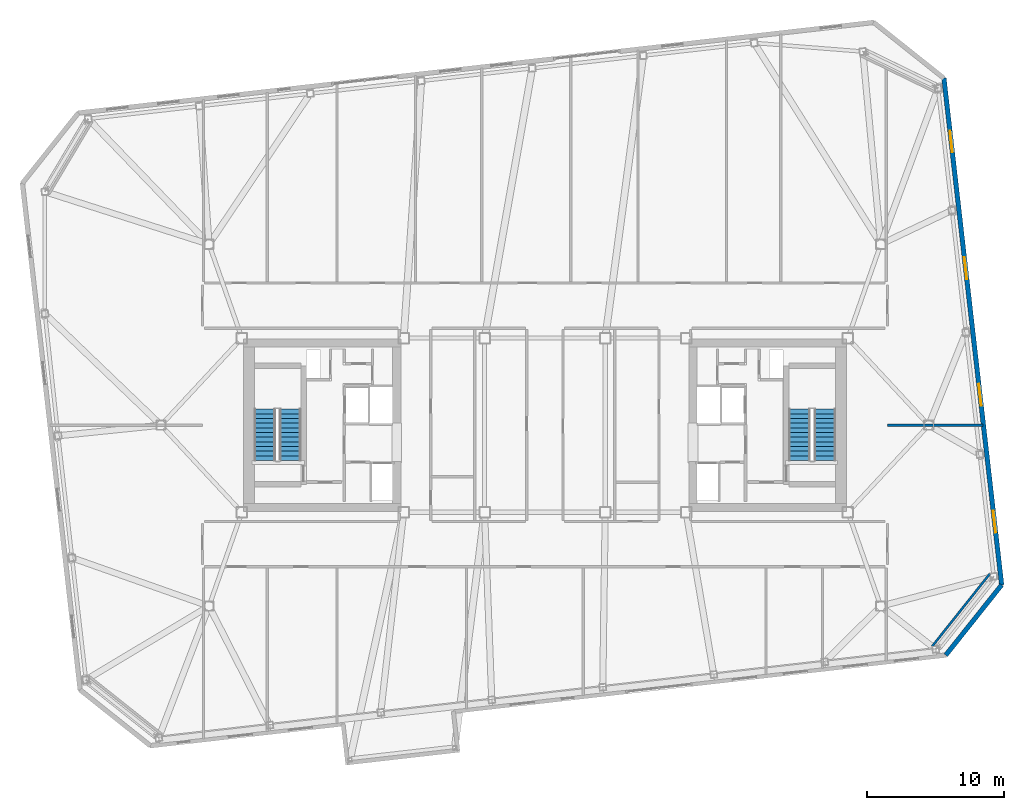
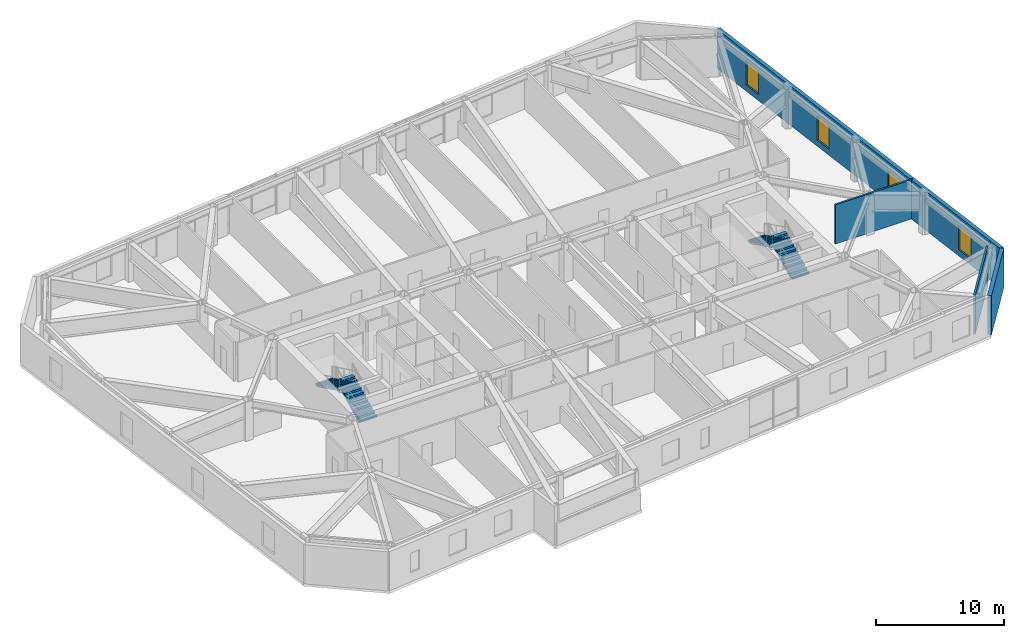
# One storey, part 15 of 18: 4 stair flights, 4 walls, 4 windows, 4 openings, 2 elements without a shape of their own.
"""IFC4 building model written with IfcOpenShell, lengths in metres."""

from ifc_helpers import new_model, si_unit, direction, frame, frame_2d, origin, place, context, subcontext, project, spatial, polyline, rectangle, outline, extrude, material, layer, layer_set, type_object, element, fill, aggregate, save


model = new_model("IFC4")

# Units and contexts
model_context = context("Model", 3, precision=1e-05, world=origin(), true_north=direction((0.0, 1.0)))
body_context = subcontext(model_context, "Body", "Model", "MODEL_VIEW")
ifc_project = project(units=[si_unit("LENGTHUNIT", "METRE"), si_unit("AREAUNIT", "SQUARE_METRE"), si_unit("VOLUMEUNIT", "CUBIC_METRE"), si_unit("PLANEANGLEUNIT", "RADIAN"), si_unit("MASSUNIT", "GRAM", prefix="KILO")], contexts=[model_context])

# Site, building, storey
site_placement = place(None, origin())
site = spatial("IfcSite", under=ifc_project, at=site_placement, CompositionType="ELEMENT")
building_placement = place(site_placement, origin())
building = spatial("IfcBuilding", under=site, at=building_placement, Name="Tavrogorsk Clinical Tower", CompositionType="ELEMENT")
storey_placement = place(building_placement, frame((0.0, 0.0, 222.199951171875)))
storey = spatial("IfcBuildingStorey", under=building, at=storey_placement, Name="L51", CompositionType="ELEMENT", Elevation=222.199951171875)

# Walls
ifc_material_1 = material(Name="Lightweight concrete blockwork B15", Category="masonry")
ifc_layer_1 = layer(ifc_material_1, 0.159912109375)
ifc_layer_set_1 = layer_set([ifc_layer_1], Name="Lightweight concrete blockwork B15")
wall_type_1 = type_object("IfcWallType", Name="PartitionWall_160", PredefinedType="PARTITIONING", material=ifc_layer_set_1)
wall_1_placement = place(storey_placement, frame((28.242431640625, -16.1337890625, 0.0), z_axis=(0.0, 0.0, 1.0), x_axis=(0.622521563328, 0.782602647064, 0.0)))
element("IfcWall", 1, at=wall_1_placement, inside=storey, type_object=wall_type_1, Name="L51 Corner Exoskeleton Brace Furring Wall 1", PredefinedType="PARTITIONING", context=body_context, shape_type="SweptSolid", body=[
    extrude(rectangle(XDim=6.788330078125, YDim=0.159912109375, at=frame_2d((3.39404296875, 0.0))), origin(), (0.0, 0.0, 1.0), 3.739990234375),
])
wall_2_placement = place(storey_placement, frame((24.97998046875, 0.0, 0.0), z_axis=(0.0, 0.0, 1.0), x_axis=(1.0, 0.0, 0.0)))
element("IfcWall", 2, at=wall_2_placement, inside=storey, type_object=wall_type_1, Name="L51 E Wing Divider 1", PredefinedType="PARTITIONING", context=body_context, shape_type="SweptSolid", body=[
    extrude(rectangle(XDim=6.990478515625, YDim=0.159912109375, at=frame_2d((3.4951171875, 0.0))), origin(), (0.0, 0.0, 1.0), 3.739990234375),
])

# Wall, openings, windows
ifc_material_2 = material(Name="Precast concrete B45 with limestone cladding", Category="masonry")
ifc_layer_2 = layer(ifc_material_2, 0.340087890625)
ifc_layer_set_2 = layer_set([ifc_layer_2], Name="Precast concrete B45 with limestone cladding")
wall_type_2 = type_object("IfcWallType", Name="PrecastLimestoneWall_340", PredefinedType="STANDARD", material=ifc_layer_set_2)
wall_3_placement = place(storey_placement, frame((33.318115234375, -11.65087890625, 0.0), z_axis=(0.0, 0.0, 1.0), x_axis=(-0.11320360501, 0.9935718111, 0.0)))
wall_3 = element("IfcWall", 3, at=wall_3_placement, inside=storey, type_object=wall_type_2, Name="L51 E Pleated Limestone Wing Wall", PredefinedType="STANDARD", context=body_context, shape_type="SweptSolid", body=[
    extrude(rectangle(XDim=37.199951171875, YDim=0.340087890625, at=frame_2d((18.60009765625, 0.0))), origin(), (0.0, 0.0, 1.0), 3.739990234375),
])
opening_1_placement = place(wall_3_placement, frame((3.85009765625, 0.0, 0.580078125)))
opening_1 = element("IfcOpeningElement", 4, at=opening_1_placement, cuts=wall_3, Name="Opening WN-07", PredefinedType="OPENING", context=body_context, shape_type="SweptSolid", body=[
    extrude(rectangle(XDim=1.60009765625, YDim=2.300048828125, at=frame_2d((0.800048828125, 1.14990234375))), frame((0.0, 0.179931640625, 0.0), z_axis=(0.0, -1.0, 0.0), x_axis=(1.0, 0.0, 0.0)), (0.0, 0.0, 1.0), 0.360107421875),
])
opening_2_placement = place(wall_3_placement, frame((13.14990234375, 0.0, 0.580078125)))
opening_2 = element("IfcOpeningElement", 5, at=opening_2_placement, cuts=wall_3, Name="Opening WN-07", PredefinedType="OPENING", context=body_context, shape_type="SweptSolid", body=[
    extrude(rectangle(XDim=1.60009765625, YDim=2.300048828125, at=frame_2d((0.800048828125, 1.14990234375))), frame((0.0, 0.179931640625, 0.0), z_axis=(0.0, -1.0, 0.0), x_axis=(1.0, 0.0, 0.0)), (0.0, 0.0, 1.0), 0.360107421875),
])
opening_3_placement = place(wall_3_placement, frame((22.449951171875, 0.0, 0.580078125)))
opening_3 = element("IfcOpeningElement", 6, at=opening_3_placement, cuts=wall_3, Name="Opening WN-07", PredefinedType="OPENING", context=body_context, shape_type="SweptSolid", body=[
    extrude(rectangle(XDim=1.60009765625, YDim=2.300048828125, at=frame_2d((0.800048828125, 1.14990234375))), frame((0.0, 0.179931640625, 0.0), z_axis=(0.0, -1.0, 0.0), x_axis=(1.0, 0.0, 0.0)), (0.0, 0.0, 1.0), 0.360107421875),
])
opening_4_placement = place(wall_3_placement, frame((31.75, 0.0, 0.580078125)))
opening_4 = element("IfcOpeningElement", 7, at=opening_4_placement, cuts=wall_3, Name="Opening WN-07", PredefinedType="OPENING", context=body_context, shape_type="SweptSolid", body=[
    extrude(rectangle(XDim=1.60009765625, YDim=2.300048828125, at=frame_2d((0.800048828125, 1.14990234375))), frame((0.0, 0.179931640625, 0.0), z_axis=(0.0, -1.0, 0.0), x_axis=(1.0, 0.0, 0.0)), (0.0, 0.0, 1.0), 0.360107421875),
])
ifc_material_3 = material(Name="Thermally broken aluminium frame and triple IGU", Category="aluminium")
window_type = type_object("IfcWindowType", Name="PleatSlotWin_1600x2300", PartitioningType="SINGLE_PANEL", PredefinedType="WINDOW", material=ifc_material_3)
window_1_placement = place(opening_1_placement, origin())
window_1 = element("IfcWindow", 8, at=window_1_placement, inside=storey, type_object=window_type, Name="L51 E Pleat Slot Window 1", OverallHeight=2.300048828125, OverallWidth=1.60009765625, PartitioningType="SINGLE_PANEL", PredefinedType="WINDOW", context=body_context, shape_type="SweptSolid", body=[
    extrude(rectangle(XDim=1.60009765625, YDim=2.300048828125, at=frame_2d((0.800048828125, 1.14990234375))), frame((0.0, 0.030029296875, 0.0), z_axis=(0.0, -1.0, 0.0), x_axis=(1.0, 0.0, 0.0)), (0.0, 0.0, 1.0), 0.06005859375),
])
fill(opening_1, window_1)
window_2_placement = place(opening_2_placement, origin())
window_2 = element("IfcWindow", 9, at=window_2_placement, inside=storey, type_object=window_type, Name="L51 E Pleat Slot Window 2", OverallHeight=2.300048828125, OverallWidth=1.60009765625, PartitioningType="SINGLE_PANEL", PredefinedType="WINDOW", context=body_context, shape_type="SweptSolid", body=[
    extrude(rectangle(XDim=1.60009765625, YDim=2.300048828125, at=frame_2d((0.800048828125, 1.14990234375))), frame((0.0, 0.030029296875, 0.0), z_axis=(0.0, -1.0, 0.0), x_axis=(1.0, 0.0, 0.0)), (0.0, 0.0, 1.0), 0.06005859375),
])
fill(opening_2, window_2)
window_3_placement = place(opening_3_placement, origin())
window_3 = element("IfcWindow", 10, at=window_3_placement, inside=storey, type_object=window_type, Name="L51 E Pleat Slot Window 3", OverallHeight=2.300048828125, OverallWidth=1.60009765625, PartitioningType="SINGLE_PANEL", PredefinedType="WINDOW", context=body_context, shape_type="SweptSolid", body=[
    extrude(rectangle(XDim=1.60009765625, YDim=2.300048828125, at=frame_2d((0.800048828125, 1.14990234375))), frame((0.0, 0.030029296875, 0.0), z_axis=(0.0, -1.0, 0.0), x_axis=(1.0, 0.0, 0.0)), (0.0, 0.0, 1.0), 0.06005859375),
])
fill(opening_3, window_3)
window_4_placement = place(opening_4_placement, origin())
window_4 = element("IfcWindow", 11, at=window_4_placement, inside=storey, type_object=window_type, Name="L51 E Pleat Slot Window 4", OverallHeight=2.300048828125, OverallWidth=1.60009765625, PartitioningType="SINGLE_PANEL", PredefinedType="WINDOW", context=body_context, shape_type="SweptSolid", body=[
    extrude(rectangle(XDim=1.60009765625, YDim=2.300048828125, at=frame_2d((0.800048828125, 1.14990234375))), frame((0.0, 0.030029296875, 0.0), z_axis=(0.0, -1.0, 0.0), x_axis=(1.0, 0.0, 0.0)), (0.0, 0.0, 1.0), 0.06005859375),
])
fill(opening_4, window_4)

# Wall
wall_4_placement = place(storey_placement, frame((29.241943359375, -16.775146484375, 0.0), z_axis=(0.0, 0.0, 1.0), x_axis=(0.62252823689, 0.78259733853, 0.0)))
element("IfcWall", 12, at=wall_4_placement, inside=storey, type_object=wall_type_2, Name="L51 Chamfered Corner Wall 1", PredefinedType="STANDARD", context=body_context, shape_type="SweptSolid", body=[
    extrude(rectangle(XDim=6.5478515625, YDim=0.340087890625, at=frame_2d((3.27392578125, 0.0))), origin(), (0.0, 0.0, 1.0), 3.739990234375),
])

# Stair, stair flights
ifc_material_4 = material(Name="Concrete B60", Category="concrete")
stair_type = type_object("IfcStairType", Name="CoreStairAssembly", PredefinedType="HALF_TURN_STAIR", material=ifc_material_4)
stair_1_placement = place(storey_placement, origin())
stair_1 = element("IfcStair", 13, at=stair_1_placement, inside=storey, type_object=stair_type, Name="L51 ST-W", PredefinedType="HALF_TURN_STAIR")
ifc_material_5 = material(Name="Concrete B60", Category="concrete")
stair_flight_type = type_object("IfcStairFlightType", Name="CoreStairFlight", PredefinedType="STRAIGHT", material=ifc_material_5)
stair_flight_1_placement = place(storey_placement, frame((-18.574951171875, -2.574951171875, 0.0), z_axis=(0.0, 0.0, 1.0), x_axis=(0.0, 1.0, 0.0)))
stair_flight_1 = element("IfcStairFlight", 14, at=stair_flight_1_placement, type_object=stair_flight_type, Name="ST-W flight 1", NumberOfRisers=12, NumberOfTreads=11, PredefinedType="STRAIGHT", RiserHeight=0.166666667, TreadLength=0.34, context=body_context, shape_type="SweptSolid", body=[
    extrude(outline(polyline([(0.0, 0.0), (0.0, 0.166748046875), (0.340087890625, 0.166748046875), (0.340087890625, 0.333251953125), (0.679931640625, 0.333251953125), (0.679931640625, 0.5), (1.02001953125, 0.5), (1.02001953125, 0.666748046875), (1.360107421875, 0.666748046875), (1.360107421875, 0.833251953125), (1.699951171875, 0.833251953125), (1.699951171875, 1.0), (2.0400390625, 1.0), (2.0400390625, 1.166748046875), (2.3798828125, 1.166748046875), (2.3798828125, 1.333251953125), (2.719970703125, 1.333251953125), (2.719970703125, 1.5), (3.06005859375, 1.5), (3.06005859375, 1.666748046875), (3.39990234375, 1.666748046875), (3.39990234375, 1.833251953125), (3.739990234375, 1.833251953125), (3.739990234375, 2.0), (3.739990234375, 1.66650390625), (0.340576171875, 0.0), (0.0, 0.0)])), frame((0.0, 0.77490234375, 0.0), z_axis=(0.0, -1.0, 0.0), x_axis=(1.0, 0.0, 0.0)), (0.0, 0.0, 1.0), 1.550048828125),
])
stair_flight_2_placement = place(storey_placement, frame((-20.425048828125, 1.1650390625, 2.0), z_axis=(0.0, 0.0, 1.0), x_axis=(0.0, -1.0, 0.0)))
stair_flight_2 = element("IfcStairFlight", 15, at=stair_flight_2_placement, type_object=stair_flight_type, Name="ST-W flight 2", NumberOfRisers=12, NumberOfTreads=11, PredefinedType="STRAIGHT", RiserHeight=0.166666667, TreadLength=0.34, context=body_context, shape_type="SweptSolid", body=[
    extrude(outline(polyline([(0.0, 0.0), (0.0, 0.166748046875), (0.340087890625, 0.166748046875), (0.340087890625, 0.333251953125), (0.679931640625, 0.333251953125), (0.679931640625, 0.5), (1.02001953125, 0.5), (1.02001953125, 0.666748046875), (1.360107421875, 0.666748046875), (1.360107421875, 0.833251953125), (1.699951171875, 0.833251953125), (1.699951171875, 1.0), (2.0400390625, 1.0), (2.0400390625, 1.166748046875), (2.3798828125, 1.166748046875), (2.3798828125, 1.333251953125), (2.719970703125, 1.333251953125), (2.719970703125, 1.5), (3.06005859375, 1.5), (3.06005859375, 1.666748046875), (3.39990234375, 1.666748046875), (3.39990234375, 1.833251953125), (3.739990234375, 1.833251953125), (3.739990234375, 2.0), (3.739990234375, 1.66650390625), (0.340576171875, 0.0), (0.0, 0.0)])), frame((0.0, 0.77490234375, 0.0), z_axis=(0.0, -1.0, 0.0), x_axis=(1.0, 0.0, 0.0)), (0.0, 0.0, 1.0), 1.550048828125),
])
aggregate(stair_1, [stair_flight_1, stair_flight_2])

stair_2_placement = place(storey_placement, origin())
stair_2 = element("IfcStair", 16, at=stair_2_placement, inside=storey, type_object=stair_type, Name="L51 ST-E", PredefinedType="HALF_TURN_STAIR")
stair_flight_3_placement = place(storey_placement, frame((20.425048828125, -2.574951171875, 0.0), z_axis=(0.0, 0.0, 1.0), x_axis=(0.0, 1.0, 0.0)))
stair_flight_3 = element("IfcStairFlight", 17, at=stair_flight_3_placement, type_object=stair_flight_type, Name="ST-E flight 1", NumberOfRisers=12, NumberOfTreads=11, PredefinedType="STRAIGHT", RiserHeight=0.166666667, TreadLength=0.34, context=body_context, shape_type="SweptSolid", body=[
    extrude(outline(polyline([(0.0, 0.0), (0.0, 0.166748046875), (0.340087890625, 0.166748046875), (0.340087890625, 0.333251953125), (0.679931640625, 0.333251953125), (0.679931640625, 0.5), (1.02001953125, 0.5), (1.02001953125, 0.666748046875), (1.360107421875, 0.666748046875), (1.360107421875, 0.833251953125), (1.699951171875, 0.833251953125), (1.699951171875, 1.0), (2.0400390625, 1.0), (2.0400390625, 1.166748046875), (2.3798828125, 1.166748046875), (2.3798828125, 1.333251953125), (2.719970703125, 1.333251953125), (2.719970703125, 1.5), (3.06005859375, 1.5), (3.06005859375, 1.666748046875), (3.39990234375, 1.666748046875), (3.39990234375, 1.833251953125), (3.739990234375, 1.833251953125), (3.739990234375, 2.0), (3.739990234375, 1.66650390625), (0.340576171875, 0.0), (0.0, 0.0)])), frame((0.0, 0.77490234375, 0.0), z_axis=(0.0, -1.0, 0.0), x_axis=(1.0, 0.0, 0.0)), (0.0, 0.0, 1.0), 1.550048828125),
])
stair_flight_4_placement = place(storey_placement, frame((18.574951171875, 1.1650390625, 2.0), z_axis=(0.0, 0.0, 1.0), x_axis=(0.0, -1.0, 0.0)))
stair_flight_4 = element("IfcStairFlight", 18, at=stair_flight_4_placement, type_object=stair_flight_type, Name="ST-E flight 2", NumberOfRisers=12, NumberOfTreads=11, PredefinedType="STRAIGHT", RiserHeight=0.166666667, TreadLength=0.34, context=body_context, shape_type="SweptSolid", body=[
    extrude(outline(polyline([(0.0, 0.0), (0.0, 0.166748046875), (0.340087890625, 0.166748046875), (0.340087890625, 0.333251953125), (0.679931640625, 0.333251953125), (0.679931640625, 0.5), (1.02001953125, 0.5), (1.02001953125, 0.666748046875), (1.360107421875, 0.666748046875), (1.360107421875, 0.833251953125), (1.699951171875, 0.833251953125), (1.699951171875, 1.0), (2.0400390625, 1.0), (2.0400390625, 1.166748046875), (2.3798828125, 1.166748046875), (2.3798828125, 1.333251953125), (2.719970703125, 1.333251953125), (2.719970703125, 1.5), (3.06005859375, 1.5), (3.06005859375, 1.666748046875), (3.39990234375, 1.666748046875), (3.39990234375, 1.833251953125), (3.739990234375, 1.833251953125), (3.739990234375, 2.0), (3.739990234375, 1.66650390625), (0.340576171875, 0.0), (0.0, 0.0)])), frame((0.0, 0.77490234375, 0.0), z_axis=(0.0, -1.0, 0.0), x_axis=(1.0, 0.0, 0.0)), (0.0, 0.0, 1.0), 1.550048828125),
])
aggregate(stair_2, [stair_flight_3, stair_flight_4])

save(model, "model.ifc")
